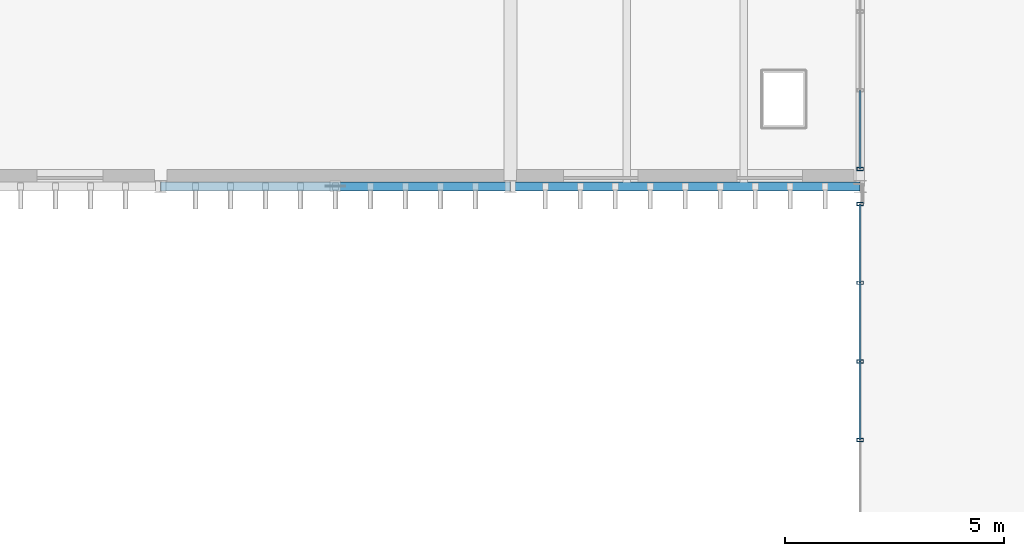
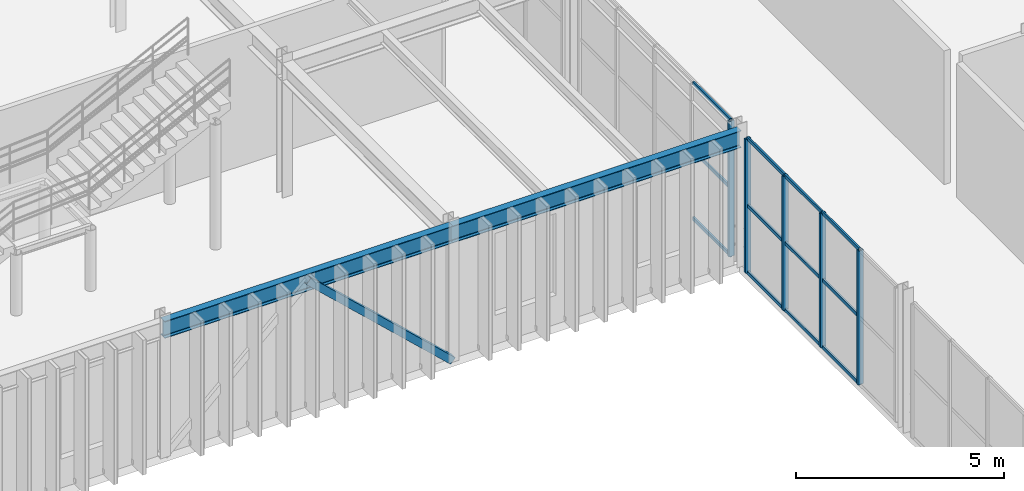
# One storey, part 52 of 122: 18 members, 2 beams, 2 elements without a shape of their own.
"""IFC4 building model written with IfcOpenShell, lengths in metres."""

from ifc_helpers import new_model, si_unit, direction, frame, origin, origin_2d, place, context, subcontext, project, spatial, hollow_rectangle, i_section, extrude, material, material_profile, profile_set, type_object, element, aggregate, save


model = new_model("IFC4")

# Units and contexts
model_context = context("Model", 3, precision=1e-05, world=origin(), true_north=direction((0.0, 1.0)))
body_context = subcontext(model_context, "Body", "Model", "MODEL_VIEW")
ifc_project = project(units=[si_unit("LENGTHUNIT", "METRE"), si_unit("AREAUNIT", "SQUARE_METRE"), si_unit("VOLUMEUNIT", "CUBIC_METRE"), si_unit("PLANEANGLEUNIT", "RADIAN"), si_unit("MASSUNIT", "GRAM", prefix="KILO")], contexts=[model_context])

# Site, building, storey
site_placement = place(None, origin())
site = spatial("IfcSite", under=ifc_project, at=site_placement, CompositionType="ELEMENT")
building_placement = place(site_placement, origin())
building = spatial("IfcBuilding", under=site, at=building_placement, Name="Sundkrona Museum", CompositionType="ELEMENT")
storey_placement = place(building_placement, frame((0.0, 0.0, 5.39990234375)))
storey = spatial("IfcBuildingStorey", under=building, at=storey_placement, Name="L01", CompositionType="ELEMENT", Elevation=5.39990234375)

# Member
ifc_material_1 = material(Name="Steel S355J2", Category="steel")
ifc_material_profile_1 = material_profile(ifc_material_1, hollow_rectangle(XDim=0.199951171875, YDim=0.199951171875, WallThickness=0.010009765625, at=origin_2d()), Name="SHS 200x200x10.0")
ifc_profile_set_1 = profile_set([ifc_material_profile_1], Name="Steel S355J2")
member_type_1 = type_object("IfcMemberType", Name="BR-SHS200", PredefinedType="BRACE", material=ifc_profile_set_1)
member_1_placement = place(storey_placement, frame((72.0, 78.0, 0.0), z_axis=(-0.730448607788, 0.0, 0.68296766496), x_axis=(0.0, -1.0, 0.0)))
element("IfcMember", 1, at=member_1_placement, inside=storey, type_object=member_type_1, Name="CBR-1 L01 Concentric Chevron Brace 020B", PredefinedType="BRACE", context=body_context, shape_type="SweptSolid", body=[
    extrude(hollow_rectangle(XDim=0.199951171875, YDim=0.199951171875, WallThickness=0.010009765625, at=origin_2d()), origin(), (0.0, 0.0, 1.0), 5.47607421875),
])

# Curtain wall, members
ifc_material_2 = material(Name="Unitised Aluminium-Steel and Ceramic-Clad Curtain Walling", Category="steel")
curtain_wall_type = type_object("IfcCurtainWallType", Name="CW-PS-54x38", PredefinedType="NOTDEFINED", material=ifc_material_2)
curtain_wall_1_placement = place(storey_placement, origin())
curtain_wall_1 = element("IfcCurtainWall", 2, at=curtain_wall_1_placement, inside=storey, type_object=curtain_wall_type, Name="L01 Curtain Wall CW-L01-116", PredefinedType="NOTDEFINED")
ifc_material_3 = material(Name="Aluminium EN AW-6060 T66", Category="aluminium")
ifc_material_profile_2 = material_profile(ifc_material_3, hollow_rectangle(XDim=0.074951171875, YDim=0.14990234375, WallThickness=0.00634765625, at=origin_2d()), Name="RHS 150x75x6.3")
ifc_profile_set_2 = profile_set([ifc_material_profile_2], Name="Aluminium EN AW-6060 T66")
member_type_2 = type_object("IfcMemberType", Name="ML-150", PredefinedType="MULLION", material=ifc_profile_set_2)
member_2_placement = place(storey_placement, frame((80.0, 72.199951171875, -0.00390625), z_axis=(0.0, 0.0, 1.0), x_axis=(0.0, 1.0, 0.0)))
member_2 = element("IfcMember", 3, at=member_2_placement, type_object=member_type_2, Name="CW-L01-116 Mullion 02", PredefinedType="MULLION", context=body_context, shape_type="SweptSolid", body=[
    extrude(hollow_rectangle(XDim=0.074951171875, YDim=0.14990234375, WallThickness=0.00634765625, at=origin_2d()), origin(), (0.0, 0.0, 1.0), 3.927978515625),
])
member_3_placement = place(storey_placement, frame((80.0, 74.0, -0.00390625), z_axis=(0.0, 0.0, 1.0), x_axis=(0.0, 1.0, 0.0)))
member_3 = element("IfcMember", 4, at=member_3_placement, type_object=member_type_2, Name="CW-L01-116 Mullion 03", PredefinedType="MULLION", context=body_context, shape_type="SweptSolid", body=[
    extrude(hollow_rectangle(XDim=0.074951171875, YDim=0.14990234375, WallThickness=0.00634765625, at=origin_2d()), origin(), (0.0, 0.0, 1.0), 3.927978515625),
])
member_4_placement = place(storey_placement, frame((80.0, 75.800048828125, -0.00390625), z_axis=(0.0, 0.0, 1.0), x_axis=(0.0, 1.0, 0.0)))
member_4 = element("IfcMember", 5, at=member_4_placement, type_object=member_type_2, Name="CW-L01-116 Mullion 04", PredefinedType="MULLION", context=body_context, shape_type="SweptSolid", body=[
    extrude(hollow_rectangle(XDim=0.074951171875, YDim=0.14990234375, WallThickness=0.00634765625, at=origin_2d()), origin(), (0.0, 0.0, 1.0), 3.927978515625),
])
member_5_placement = place(storey_placement, frame((80.0, 77.60009765625, -0.00390625), z_axis=(0.0, 0.0, 1.0), x_axis=(0.0, 1.0, 0.0)))
member_5 = element("IfcMember", 6, at=member_5_placement, type_object=member_type_2, Name="CW-L01-116 Mullion 05", PredefinedType="MULLION", context=body_context, shape_type="SweptSolid", body=[
    extrude(hollow_rectangle(XDim=0.074951171875, YDim=0.14990234375, WallThickness=0.00634765625, at=origin_2d()), origin(), (0.0, 0.0, 1.0), 3.927978515625),
])

# Curtain wall, member
curtain_wall_2_placement = place(storey_placement, origin())
curtain_wall_2 = element("IfcCurtainWall", 7, at=curtain_wall_2_placement, inside=storey, type_object=curtain_wall_type, Name="L01 Curtain Wall CW-L01-118", PredefinedType="NOTDEFINED")
member_6_placement = place(storey_placement, frame((80.0, 78.39990234375, -0.00390625), z_axis=(0.0, 0.0, 1.0), x_axis=(0.0, 1.0, 0.0)))
member_6 = element("IfcMember", 8, at=member_6_placement, type_object=member_type_2, Name="CW-L01-118 Mullion 01", PredefinedType="MULLION", context=body_context, shape_type="SweptSolid", body=[
    extrude(hollow_rectangle(XDim=0.074951171875, YDim=0.14990234375, WallThickness=0.00634765625, at=origin_2d()), origin(), (0.0, 0.0, 1.0), 3.968017578125),
])

# Beams
ifc_material_profile_3 = material_profile(ifc_material_1, i_section(OverallWidth=0.199951171875, OverallDepth=0.5, WebThickness=0.01025390625, FlangeThickness=0.01611328125, FilletRadius=0.02099609375, at=origin_2d()), Name="IPE 500")
ifc_profile_set_3 = profile_set([ifc_material_profile_3], Name="Steel S355J2")
beam_type = type_object("IfcBeamType", Name="SP-IPE500", PredefinedType="SPANDREL", material=ifc_profile_set_3)
for number, where, z_axis, x_axis, name in (
    (9, (64.0, 78.0, 3.710205078125), (1.0, 0.0, 0.0), (0.0, 1.0, 0.0), "L01 Girder X-0889"),
    (10, (72.0, 78.0, 3.710205078125), (1.0, 0.0, 0.0), (0.0, 1.0, 0.0), "L01 Girder X-0890"),
):
    element("IfcBeam", number, at=place(storey_placement, frame(where, z_axis=z_axis, x_axis=x_axis)), inside=storey, type_object=beam_type, Name=name, PredefinedType="SPANDREL", context=body_context, shape_type="SweptSolid", body=[
        extrude(i_section(OverallWidth=0.199951171875, OverallDepth=0.5, WebThickness=0.01025390625, FlangeThickness=0.01611328125, FilletRadius=0.02099609375, at=origin_2d()), origin(), (0.0, 0.0, 1.0), 8.0),
    ])

# Member
ifc_material_profile_4 = material_profile(ifc_material_3, hollow_rectangle(XDim=0.050048828125, YDim=0.10009765625, WallThickness=0.0048828125, at=origin_2d()), Name="RHS 100x50x5.0")
ifc_profile_set_4 = profile_set([ifc_material_profile_4], Name="Aluminium EN AW-6060 T66")
member_type_3 = type_object("IfcMemberType", Name="TR-100", PredefinedType="USERDEFINED", material=ifc_profile_set_4)
member_7_placement = place(storey_placement, frame((80.0, 72.199951171875, -0.00390625), z_axis=(0.0, 1.0, 0.0), x_axis=(-1.0, 0.0, 0.0)))
member_7 = element("IfcMember", 11, at=member_7_placement, type_object=member_type_3, Name="CW-L01-116 Transom 04", ObjectType="TRANSOM", PredefinedType="USERDEFINED", context=body_context, shape_type="SweptSolid", body=[
    extrude(hollow_rectangle(XDim=0.050048828125, YDim=0.10009765625, WallThickness=0.0048828125, at=origin_2d()), origin(), (0.0, 0.0, 1.0), 1.800048828125),
])

member_8_placement = place(storey_placement, frame((80.0, 72.199951171875, 1.960205078125), z_axis=(0.0, 1.0, 0.0), x_axis=(-1.0, 0.0, 0.0)))
member_8 = element("IfcMember", 12, at=member_8_placement, type_object=member_type_3, Name="CW-L01-116 Transom 05", ObjectType="TRANSOM", PredefinedType="USERDEFINED", context=body_context, shape_type="SweptSolid", body=[
    extrude(hollow_rectangle(XDim=0.050048828125, YDim=0.10009765625, WallThickness=0.0048828125, at=origin_2d()), origin(), (0.0, 0.0, 1.0), 1.800048828125),
])

member_9_placement = place(storey_placement, frame((80.0, 72.199951171875, 3.924072265625), z_axis=(0.0, 1.0, 0.0), x_axis=(-1.0, 0.0, 0.0)))
member_9 = element("IfcMember", 13, at=member_9_placement, type_object=member_type_3, Name="CW-L01-116 Transom 06", ObjectType="TRANSOM", PredefinedType="USERDEFINED", context=body_context, shape_type="SweptSolid", body=[
    extrude(hollow_rectangle(XDim=0.050048828125, YDim=0.10009765625, WallThickness=0.0048828125, at=origin_2d()), origin(), (0.0, 0.0, 1.0), 1.800048828125),
])

member_10_placement = place(storey_placement, frame((80.0, 74.0, -0.00390625), z_axis=(0.0, 1.0, 0.0), x_axis=(-1.0, 0.0, 0.0)))
member_10 = element("IfcMember", 14, at=member_10_placement, type_object=member_type_3, Name="CW-L01-116 Transom 07", ObjectType="TRANSOM", PredefinedType="USERDEFINED", context=body_context, shape_type="SweptSolid", body=[
    extrude(hollow_rectangle(XDim=0.050048828125, YDim=0.10009765625, WallThickness=0.0048828125, at=origin_2d()), origin(), (0.0, 0.0, 1.0), 1.800048828125),
])

member_11_placement = place(storey_placement, frame((80.0, 74.0, 1.960205078125), z_axis=(0.0, 1.0, 0.0), x_axis=(-1.0, 0.0, 0.0)))
member_11 = element("IfcMember", 15, at=member_11_placement, type_object=member_type_3, Name="CW-L01-116 Transom 08", ObjectType="TRANSOM", PredefinedType="USERDEFINED", context=body_context, shape_type="SweptSolid", body=[
    extrude(hollow_rectangle(XDim=0.050048828125, YDim=0.10009765625, WallThickness=0.0048828125, at=origin_2d()), origin(), (0.0, 0.0, 1.0), 1.800048828125),
])

member_12_placement = place(storey_placement, frame((80.0, 74.0, 3.924072265625), z_axis=(0.0, 1.0, 0.0), x_axis=(-1.0, 0.0, 0.0)))
member_12 = element("IfcMember", 16, at=member_12_placement, type_object=member_type_3, Name="CW-L01-116 Transom 09", ObjectType="TRANSOM", PredefinedType="USERDEFINED", context=body_context, shape_type="SweptSolid", body=[
    extrude(hollow_rectangle(XDim=0.050048828125, YDim=0.10009765625, WallThickness=0.0048828125, at=origin_2d()), origin(), (0.0, 0.0, 1.0), 1.800048828125),
])

member_13_placement = place(storey_placement, frame((80.0, 75.800048828125, -0.00390625), z_axis=(0.0, 1.0, 0.0), x_axis=(-1.0, 0.0, 0.0)))
member_13 = element("IfcMember", 17, at=member_13_placement, type_object=member_type_3, Name="CW-L01-116 Transom 10", ObjectType="TRANSOM", PredefinedType="USERDEFINED", context=body_context, shape_type="SweptSolid", body=[
    extrude(hollow_rectangle(XDim=0.050048828125, YDim=0.10009765625, WallThickness=0.0048828125, at=origin_2d()), origin(), (0.0, 0.0, 1.0), 1.800048828125),
])

member_14_placement = place(storey_placement, frame((80.0, 75.800048828125, 1.960205078125), z_axis=(0.0, 1.0, 0.0), x_axis=(-1.0, 0.0, 0.0)))
member_14 = element("IfcMember", 18, at=member_14_placement, type_object=member_type_3, Name="CW-L01-116 Transom 11", ObjectType="TRANSOM", PredefinedType="USERDEFINED", context=body_context, shape_type="SweptSolid", body=[
    extrude(hollow_rectangle(XDim=0.050048828125, YDim=0.10009765625, WallThickness=0.0048828125, at=origin_2d()), origin(), (0.0, 0.0, 1.0), 1.800048828125),
])

member_15_placement = place(storey_placement, frame((80.0, 75.800048828125, 3.924072265625), z_axis=(0.0, 1.0, 0.0), x_axis=(-1.0, 0.0, 0.0)))
member_15 = element("IfcMember", 19, at=member_15_placement, type_object=member_type_3, Name="CW-L01-116 Transom 12", ObjectType="TRANSOM", PredefinedType="USERDEFINED", context=body_context, shape_type="SweptSolid", body=[
    extrude(hollow_rectangle(XDim=0.050048828125, YDim=0.10009765625, WallThickness=0.0048828125, at=origin_2d()), origin(), (0.0, 0.0, 1.0), 1.800048828125),
])

aggregate(curtain_wall_1, [member_2, member_3, member_4, member_5, member_7, member_8, member_9, member_10, member_11, member_12, member_13, member_14, member_15])

member_16_placement = place(storey_placement, frame((80.0, 78.39990234375, -0.00390625), z_axis=(0.0, 1.0, 0.0), x_axis=(-1.0, 0.0, 0.0)))
member_16 = element("IfcMember", 20, at=member_16_placement, type_object=member_type_3, Name="CW-L01-118 Transom 01", ObjectType="TRANSOM", PredefinedType="USERDEFINED", context=body_context, shape_type="SweptSolid", body=[
    extrude(hollow_rectangle(XDim=0.050048828125, YDim=0.10009765625, WallThickness=0.0048828125, at=origin_2d()), origin(), (0.0, 0.0, 1.0), 1.800048828125),
])

member_17_placement = place(storey_placement, frame((80.0, 78.39990234375, 1.97998046875), z_axis=(0.0, 1.0, 0.0), x_axis=(-1.0, 0.0, 0.0)))
member_17 = element("IfcMember", 21, at=member_17_placement, type_object=member_type_3, Name="CW-L01-118 Transom 02", ObjectType="TRANSOM", PredefinedType="USERDEFINED", context=body_context, shape_type="SweptSolid", body=[
    extrude(hollow_rectangle(XDim=0.050048828125, YDim=0.10009765625, WallThickness=0.0048828125, at=origin_2d()), origin(), (0.0, 0.0, 1.0), 1.800048828125),
])

member_18_placement = place(storey_placement, frame((80.0, 78.39990234375, 3.964111328125), z_axis=(0.0, 1.0, 0.0), x_axis=(-1.0, 0.0, 0.0)))
member_18 = element("IfcMember", 22, at=member_18_placement, type_object=member_type_3, Name="CW-L01-118 Transom 03", ObjectType="TRANSOM", PredefinedType="USERDEFINED", context=body_context, shape_type="SweptSolid", body=[
    extrude(hollow_rectangle(XDim=0.050048828125, YDim=0.10009765625, WallThickness=0.0048828125, at=origin_2d()), origin(), (0.0, 0.0, 1.0), 1.800048828125),
])

aggregate(curtain_wall_2, [member_6, member_16, member_17, member_18])

save(model, "model.ifc")
